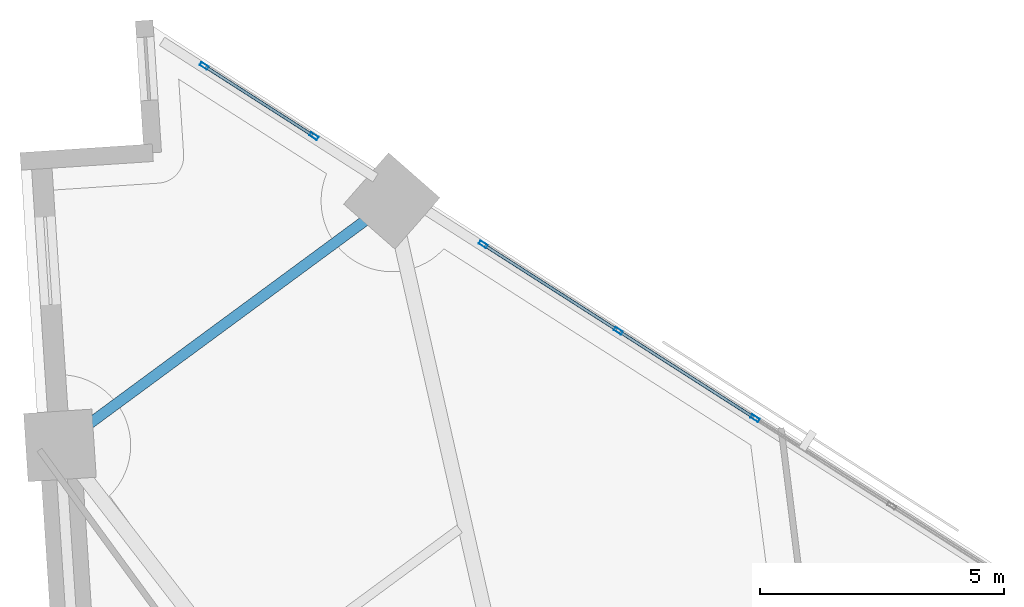
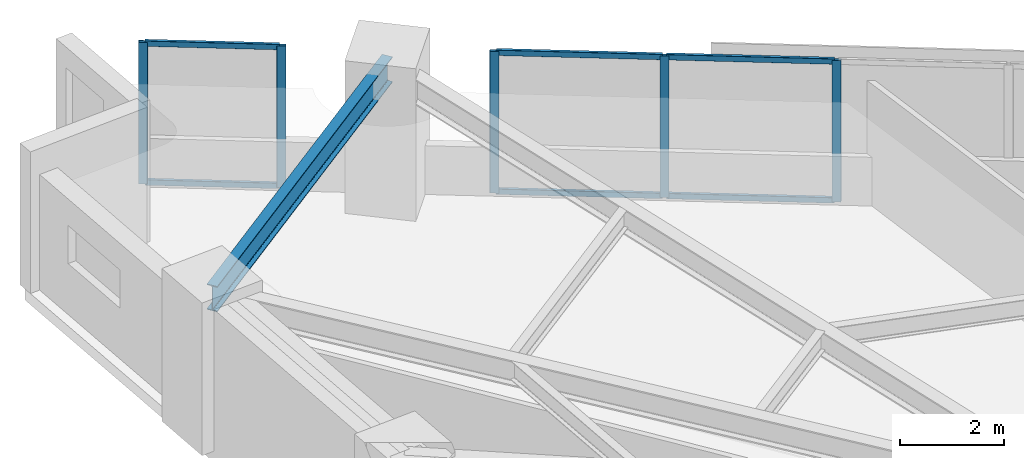
# One storey, part 9 of 16: 11 members, 1 beam, 2 elements without a shape of their own.
"""IFC4 building model written with IfcOpenShell, lengths in metres."""

from ifc_helpers import new_model, si_unit, direction, frame, origin, origin_2d, place, context, subcontext, project, spatial, hollow_rectangle, i_section, extrude, material, material_profile, profile_set, type_object, element, aggregate, save


model = new_model("IFC4")

# Units and contexts
model_context = context("Model", 3, precision=1e-05, world=origin(), true_north=direction((0.0, 1.0)))
body_context = subcontext(model_context, "Body", "Model", "MODEL_VIEW")
ifc_project = project(units=[si_unit("LENGTHUNIT", "METRE"), si_unit("AREAUNIT", "SQUARE_METRE"), si_unit("VOLUMEUNIT", "CUBIC_METRE"), si_unit("PLANEANGLEUNIT", "RADIAN"), si_unit("MASSUNIT", "GRAM", prefix="KILO")], contexts=[model_context])

# Site, building, storey
site_placement = place(None, origin())
site = spatial("IfcSite", under=ifc_project, at=site_placement, CompositionType="ELEMENT")
building_placement = place(site_placement, origin())
building = spatial("IfcBuilding", under=site, at=building_placement, Name="Narakoshi Arena Tower", CompositionType="ELEMENT")
storey_placement = place(building_placement, frame((0.0, 0.0, 81.300048828125)))
storey = spatial("IfcBuildingStorey", under=building, at=storey_placement, Name="L21", CompositionType="ELEMENT", Elevation=81.300048828125)

# Beam
ifc_material_1 = material(Name="Structural steel S355J2", Category="steel")
ifc_material_profile_1 = material_profile(ifc_material_1, i_section(OverallWidth=0.219970703125, OverallDepth=0.60009765625, WebThickness=0.011962890625, FlangeThickness=0.01904296875, FilletRadius=0.02392578125, at=origin_2d()), Name="IPE600")
ifc_profile_set_1 = profile_set([ifc_material_profile_1], Name="Structural steel S355J2")
beam_type = type_object("IfcBeamType", Name="BM-EDGE-600", PredefinedType="BEAM", material=ifc_profile_set_1)
beam_placement = place(storey_placement, frame((67.58984375, 76.04345703125, 3.0400390625), z_axis=(-0.805132069621, -0.59309556605, 0.0), x_axis=(0.59309556605, -0.805132069621, 0.0)))
element("IfcBeam", 1, at=beam_placement, inside=storey, type_object=beam_type, Name="L21 Perimeter Edge Girder 11", PredefinedType="BEAM", context=body_context, shape_type="SweptSolid", body=[
    extrude(i_section(OverallWidth=0.219970703125, OverallDepth=0.60009765625, WebThickness=0.011962890625, FlangeThickness=0.01904296875, FilletRadius=0.02392578125, at=origin_2d()), origin(), (0.0, 0.0, 1.0), 8.451416015625),
])

# Curtain wall, members
ifc_material_2 = material(Name="Anodised bronze aluminium 6063-T6", Category="aluminium")
curtain_wall_type = type_object("IfcCurtainWallType", Name="CW-HYP-LOW", PredefinedType="NOTDEFINED", material=ifc_material_2)
curtain_wall_1_placement = place(storey_placement, origin())
curtain_wall_1 = element("IfcCurtainWall", 2, at=curtain_wall_1_placement, inside=storey, type_object=curtain_wall_type, Name="L21 Folded Hypotenuse Curtain Wall 2-2", PredefinedType="NOTDEFINED")
ifc_material_profile_2 = material_profile(ifc_material_2, hollow_rectangle(XDim=0.074951171875, YDim=0.179931640625, WallThickness=0.00390625, OuterFilletRadius=0.0048828125, at=origin_2d()), Name="MUL180x75x4")
ifc_profile_set_2 = profile_set([ifc_material_profile_2], Name="Anodised bronze aluminium 6063-T6")
member_type_1 = type_object("IfcMemberType", Name="MEM-MUL-180", PredefinedType="MULLION", material=ifc_profile_set_2)
member_1_placement = place(storey_placement, frame((75.039794921875, 71.5869140625, 0.0), z_axis=(0.0, 0.0, 1.0), x_axis=(-0.538829098714, -0.842415100992, 0.0)))
member_1 = element("IfcMember", 3, at=member_1_placement, type_object=member_type_1, Name="CW-01 mullion 4", PredefinedType="MULLION", context=body_context, shape_type="SweptSolid", body=[
    extrude(hollow_rectangle(XDim=0.074951171875, YDim=0.179931640625, WallThickness=0.00390625, OuterFilletRadius=0.0048828125, at=origin_2d()), origin(), (0.0, 0.0, 1.0), 3.33984375),
])
member_2_placement = place(storey_placement, frame((72.236083984375, 73.380126953125, 0.0), z_axis=(0.0, 0.0, 1.0), x_axis=(-0.538829098714, -0.842415100992, 0.0)))
member_2 = element("IfcMember", 4, at=member_2_placement, type_object=member_type_1, Name="CW-01 mullion 5", PredefinedType="MULLION", context=body_context, shape_type="SweptSolid", body=[
    extrude(hollow_rectangle(XDim=0.074951171875, YDim=0.179931640625, WallThickness=0.00390625, OuterFilletRadius=0.0048828125, at=origin_2d()), origin(), (0.0, 0.0, 1.0), 3.33984375),
])
member_3_placement = place(storey_placement, frame((69.464111328125, 75.1533203125, 0.0), z_axis=(0.0, 0.0, 1.0), x_axis=(-0.538829098714, -0.842415100992, 0.0)))
member_3 = element("IfcMember", 5, at=member_3_placement, type_object=member_type_1, Name="CW-01 mullion 6", PredefinedType="MULLION", context=body_context, shape_type="SweptSolid", body=[
    extrude(hollow_rectangle(XDim=0.074951171875, YDim=0.179931640625, WallThickness=0.00390625, OuterFilletRadius=0.0048828125, at=origin_2d()), origin(), (0.0, 0.0, 1.0), 3.33984375),
])

curtain_wall_2_placement = place(storey_placement, origin())
curtain_wall_2 = element("IfcCurtainWall", 6, at=curtain_wall_2_placement, inside=storey, type_object=curtain_wall_type, Name="L21 Folded Hypotenuse Curtain Wall 2-3", PredefinedType="NOTDEFINED")
member_4_placement = place(storey_placement, frame((65.99462890625, 77.372314453125, 0.0), z_axis=(0.0, 0.0, 1.0), x_axis=(-0.538841109017, -0.842407418791, 0.0)))
member_4 = element("IfcMember", 7, at=member_4_placement, type_object=member_type_1, Name="CW-01 mullion 1", PredefinedType="MULLION", context=body_context, shape_type="SweptSolid", body=[
    extrude(hollow_rectangle(XDim=0.074951171875, YDim=0.179931640625, WallThickness=0.00390625, OuterFilletRadius=0.0048828125, at=origin_2d()), origin(), (0.0, 0.0, 1.0), 3.33984375),
])
member_5_placement = place(storey_placement, frame((63.7412109375, 78.813720703125, 0.0), z_axis=(0.0, 0.0, 1.0), x_axis=(-0.538841109017, -0.842407418791, 0.0)))
member_5 = element("IfcMember", 8, at=member_5_placement, type_object=member_type_1, Name="CW-01 mullion 2", PredefinedType="MULLION", context=body_context, shape_type="SweptSolid", body=[
    extrude(hollow_rectangle(XDim=0.074951171875, YDim=0.179931640625, WallThickness=0.00390625, OuterFilletRadius=0.0048828125, at=origin_2d()), origin(), (0.0, 0.0, 1.0), 3.33984375),
])

# Member
ifc_material_profile_3 = material_profile(ifc_material_2, hollow_rectangle(XDim=0.06494140625, YDim=0.1298828125, WallThickness=0.00390625, OuterFilletRadius=0.0048828125, at=origin_2d()), Name="TRN130x65x4")
ifc_profile_set_3 = profile_set([ifc_material_profile_3], Name="Anodised bronze aluminium 6063-T6")
member_type_2 = type_object("IfcMemberType", Name="MEM-TRN-130", PredefinedType="USERDEFINED", material=ifc_profile_set_3)
member_6_placement = place(storey_placement, frame((75.00830078125, 71.60693359375, 0.032470703125), z_axis=(-0.842407668774, 0.5388407182, 0.0), x_axis=(-0.5388407182, -0.842407668774, 0.0)))
member_6 = element("IfcMember", 9, at=member_6_placement, type_object=member_type_2, Name="CW-01 transom 4.1", ObjectType="TRANSOM", PredefinedType="USERDEFINED", context=body_context, shape_type="SweptSolid", body=[
    extrude(hollow_rectangle(XDim=0.06494140625, YDim=0.1298828125, WallThickness=0.00390625, OuterFilletRadius=0.0048828125, at=origin_2d()), origin(), (0.0, 0.0, 1.0), 3.253173828125),
])

member_7_placement = place(storey_placement, frame((75.00830078125, 71.60693359375, 3.307373046875), z_axis=(-0.842407668774, 0.5388407182, 0.0), x_axis=(-0.5388407182, -0.842407668774, 0.0)))
member_7 = element("IfcMember", 10, at=member_7_placement, type_object=member_type_2, Name="CW-01 transom 4.2", ObjectType="TRANSOM", PredefinedType="USERDEFINED", context=body_context, shape_type="SweptSolid", body=[
    extrude(hollow_rectangle(XDim=0.06494140625, YDim=0.1298828125, WallThickness=0.00390625, OuterFilletRadius=0.0048828125, at=origin_2d()), origin(), (0.0, 0.0, 1.0), 3.253173828125),
])

member_8_placement = place(storey_placement, frame((72.20458984375, 73.400390625, 0.032470703125), z_axis=(-0.842424416084, 0.538814535053, 0.0), x_axis=(-0.538814535053, -0.842424416084, 0.0)))
member_8 = element("IfcMember", 11, at=member_8_placement, type_object=member_type_2, Name="CW-01 transom 5.1", ObjectType="TRANSOM", PredefinedType="USERDEFINED", context=body_context, shape_type="SweptSolid", body=[
    extrude(hollow_rectangle(XDim=0.06494140625, YDim=0.1298828125, WallThickness=0.00390625, OuterFilletRadius=0.0048828125, at=origin_2d()), origin(), (0.0, 0.0, 1.0), 3.2158203125),
])

member_9_placement = place(storey_placement, frame((72.20458984375, 73.400390625, 3.307373046875), z_axis=(-0.842424416084, 0.538814535053, 0.0), x_axis=(-0.538814535053, -0.842424416084, 0.0)))
member_9 = element("IfcMember", 12, at=member_9_placement, type_object=member_type_2, Name="CW-01 transom 5.2", ObjectType="TRANSOM", PredefinedType="USERDEFINED", context=body_context, shape_type="SweptSolid", body=[
    extrude(hollow_rectangle(XDim=0.06494140625, YDim=0.1298828125, WallThickness=0.00390625, OuterFilletRadius=0.0048828125, at=origin_2d()), origin(), (0.0, 0.0, 1.0), 3.2158203125),
])

aggregate(curtain_wall_1, [member_1, member_2, member_3, member_6, member_7, member_8, member_9])

member_10_placement = place(storey_placement, frame((65.963134765625, 77.392578125, 0.032470703125), z_axis=(-0.84237541022, 0.538891146946, 0.0), x_axis=(-0.538891146946, -0.84237541022, 0.0)))
member_10 = element("IfcMember", 13, at=member_10_placement, type_object=member_type_2, Name="CW-01 transom 1.1", ObjectType="TRANSOM", PredefinedType="USERDEFINED", context=body_context, shape_type="SweptSolid", body=[
    extrude(hollow_rectangle(XDim=0.06494140625, YDim=0.1298828125, WallThickness=0.00390625, OuterFilletRadius=0.0048828125, at=origin_2d()), origin(), (0.0, 0.0, 1.0), 2.60009765625),
])

member_11_placement = place(storey_placement, frame((65.963134765625, 77.392578125, 3.307373046875), z_axis=(-0.84237541022, 0.538891146946, 0.0), x_axis=(-0.538891146946, -0.84237541022, 0.0)))
member_11 = element("IfcMember", 14, at=member_11_placement, type_object=member_type_2, Name="CW-01 transom 1.2", ObjectType="TRANSOM", PredefinedType="USERDEFINED", context=body_context, shape_type="SweptSolid", body=[
    extrude(hollow_rectangle(XDim=0.06494140625, YDim=0.1298828125, WallThickness=0.00390625, OuterFilletRadius=0.0048828125, at=origin_2d()), origin(), (0.0, 0.0, 1.0), 2.60009765625),
])

aggregate(curtain_wall_2, [member_4, member_5, member_10, member_11])

save(model, "model.ifc")
